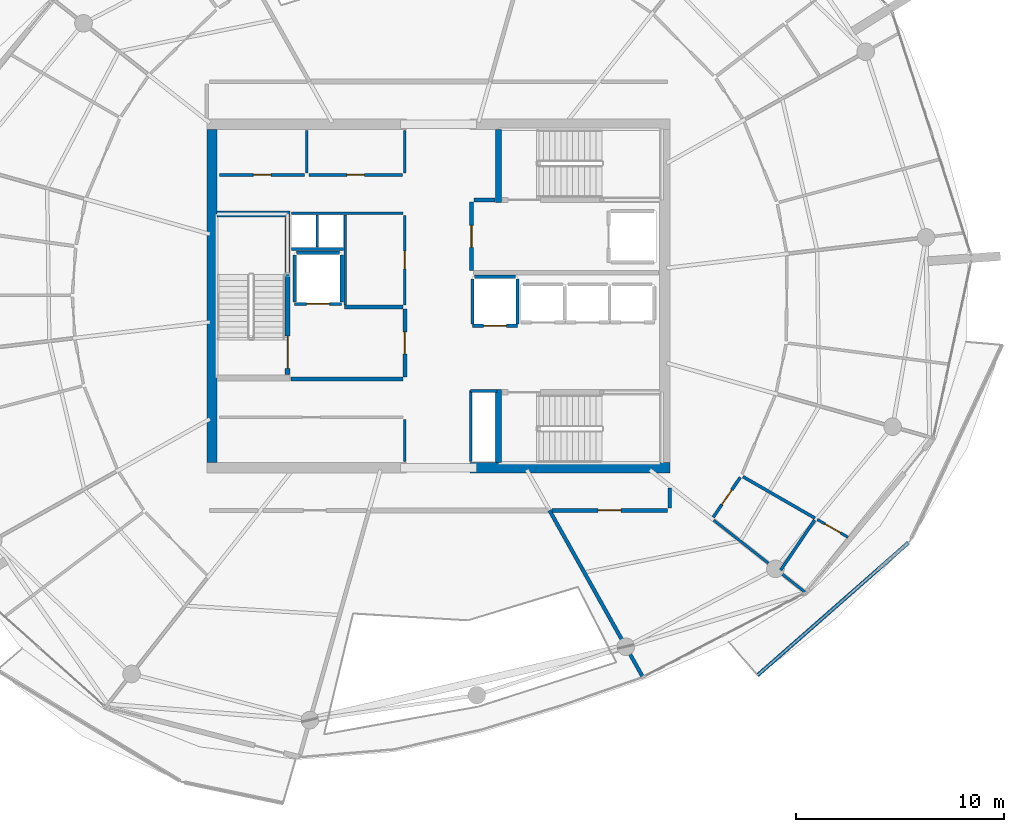
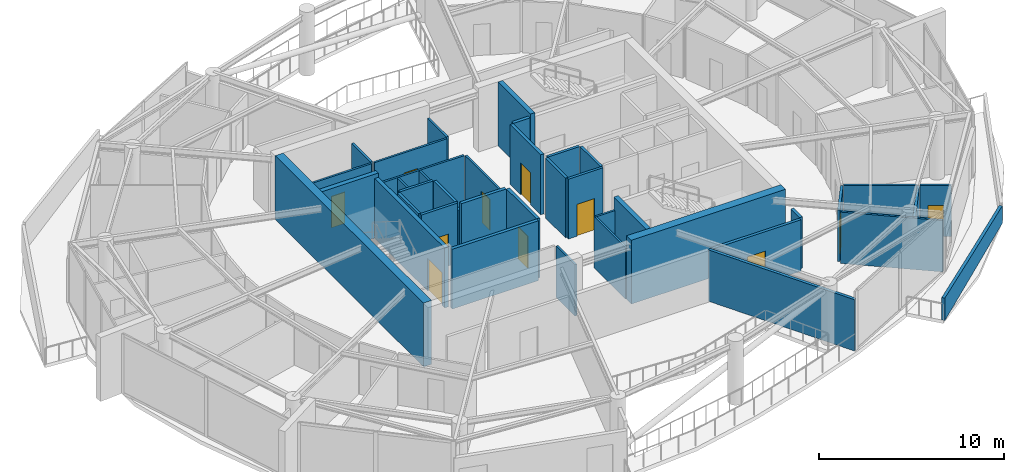
# One storey, part 14 of 22: 40 walls, 11 doors, 11 openings.
"""IFC4 building model written with IfcOpenShell, lengths in metres."""

from ifc_helpers import new_model, si_unit, direction, frame, frame_2d, origin, place, context, subcontext, project, spatial, polyline, rectangle, outline, extrude, material, layer, layer_set, type_object, element, fill, save


model = new_model("IFC4")

# Units and contexts
model_context = context("Model", 3, precision=1e-05, world=origin(), true_north=direction((0.0, 1.0)))
body_context = subcontext(model_context, "Body", "Model", "MODEL_VIEW")
ifc_project = project(units=[si_unit("LENGTHUNIT", "METRE"), si_unit("AREAUNIT", "SQUARE_METRE"), si_unit("VOLUMEUNIT", "CUBIC_METRE"), si_unit("PLANEANGLEUNIT", "RADIAN"), si_unit("MASSUNIT", "GRAM", prefix="KILO")], contexts=[model_context])

# Site, building, storey
site_placement = place(None, origin())
site = spatial("IfcSite", under=ifc_project, at=site_placement, CompositionType="ELEMENT")
building_placement = place(site_placement, origin())
building = spatial("IfcBuilding", under=site, at=building_placement, Name="Kazma Halo Residences", CompositionType="ELEMENT")
storey_placement = place(building_placement, frame((0.0, 0.0, 326.300048828125)))
storey = spatial("IfcBuildingStorey", under=building, at=storey_placement, Name="L82", CompositionType="ELEMENT", Elevation=326.300048828125)

# Walls
ifc_material_1 = material(Name="White Concrete C50/60 Balustrade", Category="concrete")
ifc_layer_1 = layer(ifc_material_1, 0.179931640625)
ifc_layer_set_1 = layer_set([ifc_layer_1], Name="White Concrete C50/60 Balustrade")
wall_type_1 = type_object("IfcWallType", Name="WL-BAL-WAVE-180", PredefinedType="PARAPET", material=ifc_layer_set_1)
wall_1_placement = place(storey_placement, frame((63.760986328125, 23.77294921875, 0.0), z_axis=(0.0, 0.0, 1.0), x_axis=(0.751214275419, 0.660058415905, 0.0)))
element("IfcWall", 1, at=wall_1_placement, inside=storey, type_object=wall_type_1, Name="L82 white wave balustrade wall SE.1", PredefinedType="PARAPET", context=body_context, shape_type="SweptSolid", body=[
    extrude(outline(polyline([(0.0, 0.0), (9.657958984375, 0.0), (9.65771484375, 1.14794921875), (4.828857421875, 1.283935546875), (0.0, 1.48291015625), (0.0, 0.0)])), frame((0.0, 0.08984375, 0.0), z_axis=(0.0, -1.0, 0.0), x_axis=(1.0, 0.0, 0.0)), (0.0, 0.0, 1.0), 0.179931640625),
])
ifc_material_2 = material(Name="Concrete C60/75", Category="concrete")
ifc_layer_2 = layer(ifc_material_2, 0.5)
ifc_layer_set_2 = layer_set([ifc_layer_2], Name="Concrete C60/75")
wall_type_2 = type_object("IfcWallType", Name="WL-CORE-500", PredefinedType="SHEAR", material=ifc_layer_set_2)
wall_2_placement = place(storey_placement, frame((49.949951171875, 33.75, 0.0), z_axis=(0.0, 0.0, 1.0), x_axis=(1.0, 0.0, 0.0)))
element("IfcWall", 2, at=wall_2_placement, inside=storey, type_object=wall_type_2, Name="L82 central core shear wall SE", PredefinedType="SHEAR", context=body_context, shape_type="SweptSolid", body=[
    extrude(rectangle(XDim=9.60009765625, YDim=0.5, at=frame_2d((4.800048828125, 0.0))), origin(), (0.0, 0.0, 1.0), 4.199951171875),
])
wall_3_placement = place(storey_placement, frame((37.550048828125, 34.0, 0.0), z_axis=(0.0, 0.0, 1.0), x_axis=(0.0, 1.0, 0.0)))
element("IfcWall", 3, at=wall_3_placement, inside=storey, type_object=wall_type_2, Name="L82 central core shear wall W", PredefinedType="SHEAR", context=body_context, shape_type="SweptSolid", body=[
    extrude(rectangle(XDim=16.0, YDim=0.5, at=frame_2d((8.0, 0.0))), origin(), (0.0, 0.0, 1.0), 4.199951171875),
])
ifc_layer_3 = layer(ifc_material_2, 0.280029296875)
ifc_layer_set_3 = layer_set([ifc_layer_3], Name="Concrete C60/75")
wall_type_3 = type_object("IfcWallType", Name="WL-CORE-ST-280", PredefinedType="SHEAR", material=ifc_layer_set_3)
for number, where, z_axis, x_axis, name in (
    (4, (37.800048828125, 45.93994140625, 0.0), (0.0, 0.0, 1.0), (1.0, 0.0, 0.0), "L82 stairwell bearing wall ST01-N"),
    (5, (51.31005859375, 46.5, 0.0), (0.0, 0.0, 1.0), (0.0, 1.0, 0.0), "L82 stairwell bearing wall ST02-W"),
    (6, (51.31005859375, 34.0, 0.0), (0.0, 0.0, 1.0), (0.0, 1.0, 0.0), "L82 stairwell bearing wall ST03-W"),
):
    element("IfcWall", number, at=place(storey_placement, frame(where, z_axis=z_axis, x_axis=x_axis)), inside=storey, type_object=wall_type_3, Name=name, PredefinedType="SHEAR", context=body_context, shape_type="SweptSolid", body=[
        extrude(rectangle(XDim=3.5, YDim=0.280029296875, at=frame_2d((1.75, 0.0))), origin(), (0.0, 0.0, 1.0), 4.199951171875),
    ])
ifc_material_3 = material(Name="Acoustic Twin-Stud Gypsum")
ifc_layer_4 = layer(ifc_material_3, 0.179931640625)
ifc_layer_set_4 = layer_set([ifc_layer_4], Name="Acoustic Twin-Stud Gypsum")
wall_type_4 = type_object("IfcWallType", Name="WL-DEM-180", PredefinedType="PARTITIONING", material=ifc_layer_set_4)
wall_4_placement = place(storey_placement, frame((53.768310546875, 31.699951171875, 0.0), z_axis=(0.0, 0.0, 1.0), x_axis=(0.488623665245, -0.872494649704, 0.0)))
element("IfcWall", 7, at=wall_4_placement, inside=storey, type_object=wall_type_4, Name="L82 apartment demising radial wall 12", PredefinedType="PARTITIONING", context=body_context, shape_type="SweptSolid", body=[
    extrude(rectangle(XDim=9.156982421875, YDim=0.179931640625, at=frame_2d((4.57861328125, 0.0))), origin(), (0.0, 0.0, 1.0), 3.3798828125),
])

# Wall, opening, door
wall_5_placement = place(storey_placement, frame((53.88818359375, 31.699951171875, 0.0), z_axis=(0.0, 0.0, 1.0), x_axis=(1.0, 0.0, 0.0)))
wall_5 = element("IfcWall", 8, at=wall_5_placement, inside=storey, type_object=wall_type_4, Name="L82 Penthouse 2 entrance corridor wall", PredefinedType="PARTITIONING", context=body_context, shape_type="SweptSolid", body=[
    extrude(rectangle(XDim=5.541748046875, YDim=0.179931640625, at=frame_2d((2.77099609375, 0.0))), origin(), (0.0, 0.0, 1.0), 3.3798828125),
])
opening_1_placement = place(wall_5_placement, frame((2.220703125, 0.0, 0.0)))
opening_1 = element("IfcOpeningElement", 9, at=opening_1_placement, cuts=wall_5, Name="Opening DA-1100", PredefinedType="OPENING", context=body_context, shape_type="SweptSolid", body=[
    extrude(rectangle(XDim=1.10009765625, YDim=2.10009765625, at=frame_2d((0.550048828125, 1.050048828125))), frame((0.0, 0.099853515625, 0.0), z_axis=(0.0, -1.0, 0.0), x_axis=(1.0, 0.0, 0.0)), (0.0, 0.0, 1.0), 0.199951171875),
])
ifc_material_4 = material(Name="Acoustic Walnut Fire Leaf")
door_type_1 = type_object("IfcDoorType", Name="DR-FD60-1100", OperationType="NOTDEFINED", PredefinedType="DOOR", material=ifc_material_4)
door_1_placement = place(opening_1_placement, origin())
door_1 = element("IfcDoor", 10, at=door_1_placement, inside=storey, type_object=door_type_1, Name="L82 Penthouse 2 entrance fire door", OperationType="SINGLE_SWING_LEFT", OverallHeight=2.10009765625, OverallWidth=1.10009765625, PredefinedType="DOOR", context=body_context, shape_type="SweptSolid", body=[
    extrude(rectangle(XDim=1.10009765625, YDim=2.10009765625, at=frame_2d((0.550048828125, 1.050048828125))), frame((0.0, 0.02490234375, 0.0), z_axis=(0.0, -1.0, 0.0), x_axis=(1.0, 0.0, 0.0)), (0.0, 0.0, 1.0), 0.050048828125),
])
fill(opening_1, door_1)

# Wall
wall_6_placement = place(storey_placement, frame((59.550048828125, 31.820068359375, 0.0), z_axis=(0.0, 0.0, 1.0), x_axis=(0.0, 1.0, 0.0)))
element("IfcWall", 11, at=wall_6_placement, inside=storey, type_object=wall_type_4, Name="L82 Penthouse 2 entrance corridor wall", PredefinedType="PARTITIONING", context=body_context, shape_type="SweptSolid", body=[
    extrude(rectangle(XDim=0.95458984375, YDim=0.179931640625, at=frame_2d((0.477294921875, 0.0))), origin(), (0.0, 0.0, 1.0), 3.3798828125),
])

# Wall, opening, door
ifc_material_5 = material(Name="Fire-Rated Blockwork Masonry", Category="masonry")
ifc_layer_5 = layer(ifc_material_5, 0.199951171875)
ifc_layer_set_5 = layer_set([ifc_layer_5], Name="Fire-Rated Blockwork Masonry")
wall_type_5 = type_object("IfcWallType", Name="WL-FLB-200", PredefinedType="PARTITIONING", material=ifc_layer_set_5)
wall_7_placement = place(storey_placement, frame((43.780029296875, 41.6201171875, 0.0), z_axis=(0.0, 0.0, 1.0), x_axis=(-1.0, 0.0, 0.0)))
wall_7 = element("IfcWall", 12, at=wall_7_placement, inside=storey, type_object=wall_type_5, Name="L82 lift shaft FL-01 front wall", PredefinedType="PARTITIONING", context=body_context, shape_type="SweptSolid", body=[
    extrude(rectangle(XDim=2.260009765625, YDim=0.159912109375, at=frame_2d((1.1298828125, 0.0))), origin(), (0.0, 0.0, 1.0), 3.93994140625),
])
opening_2_placement = place(wall_7_placement, frame((0.580078125, 0.0, 0.0)))
opening_2 = element("IfcOpeningElement", 13, at=opening_2_placement, cuts=wall_7, Name="Opening LD-FL-01", PredefinedType="OPENING", context=body_context, shape_type="SweptSolid", body=[
    extrude(rectangle(XDim=1.10009765625, YDim=2.10009765625, at=frame_2d((0.550048828125, 1.050048828125))), frame((0.0, 0.08984375, 0.0), z_axis=(0.0, -1.0, 0.0), x_axis=(1.0, 0.0, 0.0)), (0.0, 0.0, 1.0), 0.179931640625),
])
ifc_material_6 = material(Name="Stainless Steel Fire-Rated", Category="steel")
door_type_2 = type_object("IfcDoorType", Name="DR-LIFT-SLD-1100", OperationType="DOUBLE_DOOR_SLIDING", PredefinedType="DOOR", material=ifc_material_6)
door_2_placement = place(opening_2_placement, origin())
door_2 = element("IfcDoor", 14, at=door_2_placement, inside=storey, type_object=door_type_2, Name="L82 lift FL-01 sliding landing door", OperationType="DOUBLE_DOOR_SLIDING", OverallHeight=2.10009765625, OverallWidth=1.10009765625, PredefinedType="DOOR", context=body_context, shape_type="SweptSolid", body=[
    extrude(rectangle(XDim=1.10009765625, YDim=2.10009765625, at=frame_2d((0.550048828125, 1.050048828125))), frame((0.0, 0.02490234375, 0.0), z_axis=(0.0, -1.0, 0.0), x_axis=(1.0, 0.0, 0.0)), (0.0, 0.0, 1.0), 0.050048828125),
])
fill(opening_2, door_2)

# Walls
for number, where, z_axis, x_axis, name in (
    (15, (43.780029296875, 41.719970703125, 0.0), (0.0, 0.0, 1.0), (0.0, 1.0, 0.0), "L82 lift shaft FL-01 side wall E"),
    (16, (41.52001953125, 41.719970703125, 0.0), (0.0, 0.0, 1.0), (0.0, 1.0, 0.0), "L82 lift shaft FL-01 side wall W"),
):
    element("IfcWall", number, at=place(storey_placement, frame(where, z_axis=z_axis, x_axis=x_axis)), inside=storey, type_object=wall_type_5, Name=name, PredefinedType="PARTITIONING", context=body_context, shape_type="SweptSolid", body=[
        extrude(rectangle(XDim=2.260009765625, YDim=0.159912109375, at=frame_2d((1.1298828125, 0.0))), origin(), (0.0, 0.0, 1.0), 3.93994140625),
    ])
wall_8_placement = place(storey_placement, frame((41.6201171875, 44.080078125, 0.0), z_axis=(0.0, 0.0, 1.0), x_axis=(1.0, 0.0, 0.0)))
element("IfcWall", 17, at=wall_8_placement, inside=storey, type_object=wall_type_5, Name="L82 lift shaft FL-01 side wall N", PredefinedType="PARTITIONING", context=body_context, shape_type="SweptSolid", body=[
    extrude(rectangle(XDim=2.059814453125, YDim=0.159912109375, at=frame_2d((1.02978515625, 0.0))), origin(), (0.0, 0.0, 1.0), 3.93994140625),
])

# Wall, opening, door
wall_9_placement = place(storey_placement, frame((52.22998046875, 40.570068359375, 0.0), z_axis=(0.0, 0.0, 1.0), x_axis=(-1.0, 0.0, 0.0)))
wall_9 = element("IfcWall", 18, at=wall_9_placement, inside=storey, type_object=wall_type_5, Name="L82 lift shaft SV-01 front wall", PredefinedType="PARTITIONING", context=body_context, shape_type="SweptSolid", body=[
    extrude(rectangle(XDim=2.159912109375, YDim=0.159912109375, at=frame_2d((1.080078125, 0.0))), origin(), (0.0, 0.0, 1.0), 3.93994140625),
])
opening_3_placement = place(wall_9_placement, frame((0.530029296875, 0.0, 0.0)))
opening_3 = element("IfcOpeningElement", 19, at=opening_3_placement, cuts=wall_9, Name="Opening LD-SV-01", PredefinedType="OPENING", context=body_context, shape_type="SweptSolid", body=[
    extrude(rectangle(XDim=1.10009765625, YDim=2.10009765625, at=frame_2d((0.550048828125, 1.050048828125))), frame((0.0, 0.08984375, 0.0), z_axis=(0.0, -1.0, 0.0), x_axis=(1.0, 0.0, 0.0)), (0.0, 0.0, 1.0), 0.179931640625),
])
door_3_placement = place(opening_3_placement, origin())
door_3 = element("IfcDoor", 20, at=door_3_placement, inside=storey, type_object=door_type_2, Name="L82 lift SV-01 sliding landing door", OperationType="DOUBLE_DOOR_SLIDING", OverallHeight=2.10009765625, OverallWidth=1.10009765625, PredefinedType="DOOR", context=body_context, shape_type="SweptSolid", body=[
    extrude(rectangle(XDim=1.10009765625, YDim=2.10009765625, at=frame_2d((0.550048828125, 1.050048828125))), frame((0.0, 0.02490234375, 0.0), z_axis=(0.0, -1.0, 0.0), x_axis=(1.0, 0.0, 0.0)), (0.0, 0.0, 1.0), 0.050048828125),
])
fill(opening_3, door_3)

# Walls
for number, where, z_axis, x_axis, name in (
    (21, (52.22998046875, 40.669921875, 0.0), (0.0, 0.0, 1.0), (0.0, 1.0, 0.0), "L82 lift shaft SV-01 side wall E"),
    (22, (50.070068359375, 40.669921875, 0.0), (0.0, 0.0, 1.0), (0.0, 1.0, 0.0), "L82 lift shaft SV-01 side wall W"),
):
    element("IfcWall", number, at=place(storey_placement, frame(where, z_axis=z_axis, x_axis=x_axis)), inside=storey, type_object=wall_type_5, Name=name, PredefinedType="PARTITIONING", context=body_context, shape_type="SweptSolid", body=[
        extrude(rectangle(XDim=2.16015625, YDim=0.159912109375, at=frame_2d((1.080078125, 0.0))), origin(), (0.0, 0.0, 1.0), 3.93994140625),
    ])
wall_10_placement = place(storey_placement, frame((50.169921875, 42.929931640625, 0.0), z_axis=(0.0, 0.0, 1.0), x_axis=(1.0, 0.0, 0.0)))
element("IfcWall", 23, at=wall_10_placement, inside=storey, type_object=wall_type_5, Name="L82 lift shaft SV-01 side wall N", PredefinedType="PARTITIONING", context=body_context, shape_type="SweptSolid", body=[
    extrude(rectangle(XDim=1.9599609375, YDim=0.159912109375, at=frame_2d((0.97998046875, 0.0))), origin(), (0.0, 0.0, 1.0), 3.93994140625),
])
wall_11_placement = place(storey_placement, frame((41.35009765625, 38.02001953125, 0.0), z_axis=(0.0, 0.0, 1.0), x_axis=(1.0, 0.0, 0.0)))
element("IfcWall", 24, at=wall_11_placement, inside=storey, type_object=wall_type_5, Name="L82 west firefighting lobby south smoke wall", PredefinedType="PARTITIONING", context=body_context, shape_type="SweptSolid", body=[
    extrude(rectangle(XDim=5.369873046875, YDim=0.199951171875, at=frame_2d((2.68505859375, 0.0))), origin(), (0.0, 0.0, 1.0), 3.93994140625),
])
wall_12_placement = place(storey_placement, frame((43.919921875, 41.47998046875, 0.0), z_axis=(0.0, 0.0, 1.0), x_axis=(1.0, 0.0, 0.0)))
element("IfcWall", 25, at=wall_12_placement, inside=storey, type_object=wall_type_5, Name="L82 west firefighting lobby north smoke wall", PredefinedType="PARTITIONING", context=body_context, shape_type="SweptSolid", body=[
    extrude(rectangle(XDim=2.800048828125, YDim=0.199951171875, at=frame_2d((1.39990234375, 0.0))), origin(), (0.0, 0.0, 1.0), 3.93994140625),
])

# Wall, opening, door
wall_13_placement = place(storey_placement, frame((46.820068359375, 38.1201171875, 0.0), z_axis=(0.0, 0.0, 1.0), x_axis=(0.0, 1.0, 0.0)))
wall_13 = element("IfcWall", 26, at=wall_13_placement, inside=storey, type_object=wall_type_5, Name="L82 west firefighting lobby smoke wall", PredefinedType="PARTITIONING", context=body_context, shape_type="SweptSolid", body=[
    extrude(rectangle(XDim=3.259765625, YDim=0.199951171875, at=frame_2d((1.6298828125, 0.0))), origin(), (0.0, 0.0, 1.0), 3.93994140625),
])
opening_4_placement = place(wall_13_placement, frame((1.10498046875, 0.0, 0.0)))
opening_4 = element("IfcOpeningElement", 27, at=opening_4_placement, cuts=wall_13, Name="Opening D-FLW", PredefinedType="OPENING", context=body_context, shape_type="SweptSolid", body=[
    extrude(rectangle(XDim=1.050048828125, YDim=2.10009765625, at=frame_2d((0.52490234375, 1.050048828125))), frame((0.0, 0.10986328125, 0.0), z_axis=(0.0, -1.0, 0.0), x_axis=(1.0, 0.0, 0.0)), (0.0, 0.0, 1.0), 0.219970703125),
])
ifc_material_7 = material(Name="Fire-Rated Steel Leaf", Category="steel")
door_type_3 = type_object("IfcDoorType", Name="DR-FD90-1050", OperationType="NOTDEFINED", PredefinedType="DOOR", material=ifc_material_7)
door_4_placement = place(opening_4_placement, origin())
door_4 = element("IfcDoor", 28, at=door_4_placement, inside=storey, type_object=door_type_3, Name="L82 west firefighting lobby smoke door", OperationType="SINGLE_SWING_LEFT", OverallHeight=2.10009765625, OverallWidth=1.050048828125, PredefinedType="DOOR", context=body_context, shape_type="SweptSolid", body=[
    extrude(rectangle(XDim=1.050048828125, YDim=2.10009765625, at=frame_2d((0.52490234375, 1.050048828125))), frame((0.0, 0.02490234375, 0.0), z_axis=(0.0, -1.0, 0.0), x_axis=(1.0, 0.0, 0.0)), (0.0, 0.0, 1.0), 0.050048828125),
])
fill(opening_4, door_4)

# Wall
wall_14_placement = place(storey_placement, frame((50.139892578125, 46.6201171875, 0.0), z_axis=(0.0, 0.0, 1.0), x_axis=(1.0, 0.0, 0.0)))
element("IfcWall", 29, at=wall_14_placement, inside=storey, type_object=wall_type_5, Name="L82 east firefighting lobby north closure wall", PredefinedType="PARTITIONING", context=body_context, shape_type="SweptSolid", body=[
    extrude(rectangle(XDim=1.02001953125, YDim=0.199951171875, at=frame_2d((0.510009765625, 0.0))), origin(), (0.0, 0.0, 1.0), 3.93994140625),
])

# Wall, opening, door
wall_15_placement = place(storey_placement, frame((50.02001953125, 43.219970703125, 0.0), z_axis=(0.0, 0.0, 1.0), x_axis=(0.0, 1.0, 0.0)))
wall_15 = element("IfcWall", 30, at=wall_15_placement, inside=storey, type_object=wall_type_5, Name="L82 east firefighting lobby smoke wall", PredefinedType="PARTITIONING", context=body_context, shape_type="SweptSolid", body=[
    extrude(rectangle(XDim=3.300048828125, YDim=0.199951171875, at=frame_2d((1.64990234375, 0.0))), origin(), (0.0, 0.0, 1.0), 3.93994140625),
])
opening_5_placement = place(wall_15_placement, frame((1.125, 0.0, 0.0)))
opening_5 = element("IfcOpeningElement", 31, at=opening_5_placement, cuts=wall_15, Name="Opening D-FLE", PredefinedType="OPENING", context=body_context, shape_type="SweptSolid", body=[
    extrude(rectangle(XDim=1.050048828125, YDim=2.10009765625, at=frame_2d((0.52490234375, 1.050048828125))), frame((0.0, 0.10986328125, 0.0), z_axis=(0.0, -1.0, 0.0), x_axis=(1.0, 0.0, 0.0)), (0.0, 0.0, 1.0), 0.219970703125),
])
door_5_placement = place(opening_5_placement, origin())
door_5 = element("IfcDoor", 32, at=door_5_placement, inside=storey, type_object=door_type_3, Name="L82 east firefighting lobby smoke door", OperationType="SINGLE_SWING_RIGHT", OverallHeight=2.10009765625, OverallWidth=1.050048828125, PredefinedType="DOOR", context=body_context, shape_type="SweptSolid", body=[
    extrude(rectangle(XDim=1.050048828125, YDim=2.10009765625, at=frame_2d((0.52490234375, 1.050048828125))), frame((0.0, 0.02490234375, 0.0), z_axis=(0.0, -1.0, 0.0), x_axis=(1.0, 0.0, 0.0)), (0.0, 0.0, 1.0), 0.050048828125),
])
fill(opening_5, door_5)

# Walls
ifc_material_8 = material(Name="Gypsum Plasterboard Partition")
ifc_layer_6 = layer(ifc_material_8, 0.125)
ifc_layer_set_6 = layer_set([ifc_layer_6], Name="Gypsum Plasterboard Partition")
wall_type_6 = type_object("IfcWallType", Name="WL-PART-125", PredefinedType="PARTITIONING", material=ifc_layer_set_6)
for number, where, z_axis, x_axis, name in (
    (33, (46.820068359375, 34.050048828125, 0.0), (0.0, 0.0, 1.0), (0.0, 1.0, 0.0), "L82 reclaimed south east wall"),
    (34, (46.820068359375, 47.919921875, 0.0), (0.0, 0.0, 1.0), (0.0, 1.0, 0.0), "L82 reclaimed north east wall"),
    (35, (42.10009765625, 47.919921875, 0.0), (0.0, 0.0, 1.0), (0.0, 1.0, 0.0), "L82 reclaimed north divider wall"),
):
    element("IfcWall", number, at=place(storey_placement, frame(where, z_axis=z_axis, x_axis=x_axis)), inside=storey, type_object=wall_type_6, Name=name, PredefinedType="PARTITIONING", context=body_context, shape_type="SweptSolid", body=[
        extrude(rectangle(XDim=2.030029296875, YDim=0.125, at=frame_2d((1.01513671875, 0.0))), origin(), (0.0, 0.0, 1.0), 3.3798828125),
    ])

# Wall, opening, door
wall_16_placement = place(storey_placement, frame((37.919921875, 47.820068359375, 0.0), z_axis=(0.0, 0.0, 1.0), x_axis=(1.0, 0.0, 0.0)))
wall_16 = element("IfcWall", 36, at=wall_16_placement, inside=storey, type_object=wall_type_6, Name="L82 reclaimed north W front wall", PredefinedType="PARTITIONING", context=body_context, shape_type="SweptSolid", body=[
    extrude(rectangle(XDim=4.080078125, YDim=0.125, at=frame_2d((2.0400390625, 0.0))), origin(), (0.0, 0.0, 1.0), 3.3798828125),
])
opening_6_placement = place(wall_16_placement, frame((1.614990234375, 0.0, 0.0)))
opening_6 = element("IfcOpeningElement", 37, at=opening_6_placement, cuts=wall_16, Name="Opening DS-850", PredefinedType="OPENING", context=body_context, shape_type="SweptSolid", body=[
    extrude(rectangle(XDim=0.85009765625, YDim=2.06005859375, at=frame_2d((0.425048828125, 1.030029296875))), frame((0.0, 0.072509765625, 0.0), z_axis=(0.0, -1.0, 0.0), x_axis=(1.0, 0.0, 0.0)), (0.0, 0.0, 1.0), 0.14501953125),
])
ifc_material_9 = material(Name="Painted Steel Access Leaf", Category="steel")
door_type_4 = type_object("IfcDoorType", Name="DR-SVC-850", OperationType="NOTDEFINED", PredefinedType="DOOR", material=ifc_material_9)
door_6_placement = place(opening_6_placement, origin())
door_6 = element("IfcDoor", 38, at=door_6_placement, inside=storey, type_object=door_type_4, Name="L82 reclaimed north W door", OperationType="SINGLE_SWING_RIGHT", OverallHeight=2.06005859375, OverallWidth=0.85009765625, PredefinedType="DOOR", context=body_context, shape_type="SweptSolid", body=[
    extrude(rectangle(XDim=0.85009765625, YDim=2.06005859375, at=frame_2d((0.425048828125, 1.030029296875))), frame((0.0, 0.02490234375, 0.0), z_axis=(0.0, -1.0, 0.0), x_axis=(1.0, 0.0, 0.0)), (0.0, 0.0, 1.0), 0.050048828125),
])
fill(opening_6, door_6)

wall_17_placement = place(storey_placement, frame((42.199951171875, 47.820068359375, 0.0), z_axis=(0.0, 0.0, 1.0), x_axis=(1.0, 0.0, 0.0)))
wall_17 = element("IfcWall", 39, at=wall_17_placement, inside=storey, type_object=wall_type_6, Name="L82 reclaimed north E front wall", PredefinedType="PARTITIONING", context=body_context, shape_type="SweptSolid", body=[
    extrude(rectangle(XDim=4.5, YDim=0.125, at=frame_2d((2.25, 0.0))), origin(), (0.0, 0.0, 1.0), 3.3798828125),
])
opening_7_placement = place(wall_17_placement, frame((1.824951171875, 0.0, 0.0)))
opening_7 = element("IfcOpeningElement", 40, at=opening_7_placement, cuts=wall_17, Name="Opening DS-850", PredefinedType="OPENING", context=body_context, shape_type="SweptSolid", body=[
    extrude(rectangle(XDim=0.85009765625, YDim=2.06005859375, at=frame_2d((0.425048828125, 1.030029296875))), frame((0.0, 0.072509765625, 0.0), z_axis=(0.0, -1.0, 0.0), x_axis=(1.0, 0.0, 0.0)), (0.0, 0.0, 1.0), 0.14501953125),
])
door_7_placement = place(opening_7_placement, origin())
door_7 = element("IfcDoor", 41, at=door_7_placement, inside=storey, type_object=door_type_4, Name="L82 reclaimed north E door", OperationType="SINGLE_SWING_LEFT", OverallHeight=2.06005859375, OverallWidth=0.85009765625, PredefinedType="DOOR", context=body_context, shape_type="SweptSolid", body=[
    extrude(rectangle(XDim=0.85009765625, YDim=2.06005859375, at=frame_2d((0.425048828125, 1.030029296875))), frame((0.0, 0.02490234375, 0.0), z_axis=(0.0, -1.0, 0.0), x_axis=(1.0, 0.0, 0.0)), (0.0, 0.0, 1.0), 0.050048828125),
])
fill(opening_7, door_7)

# Walls
wall_18_placement = place(storey_placement, frame((41.360107421875, 45.97998046875, 0.0), z_axis=(0.0, 0.0, 1.0), x_axis=(1.0, 0.0, 0.0)))
element("IfcWall", 42, at=wall_18_placement, inside=storey, type_object=wall_type_6, Name="L82 core north riser wall", PredefinedType="PARTITIONING", context=body_context, shape_type="SweptSolid", body=[
    extrude(rectangle(XDim=5.35986328125, YDim=0.125, at=frame_2d((2.679931640625, 0.0))), origin(), (0.0, 0.0, 1.0), 3.3798828125),
])
wall_19_placement = place(storey_placement, frame((41.360107421875, 44.260009765625, 0.0), z_axis=(0.0, 0.0, 1.0), x_axis=(1.0, 0.0, 0.0)))
element("IfcWall", 43, at=wall_19_placement, inside=storey, type_object=wall_type_6, Name="L82 core riser south wall", PredefinedType="PARTITIONING", context=body_context, shape_type="SweptSolid", body=[
    extrude(rectangle(XDim=2.5, YDim=0.125, at=frame_2d((1.25, 0.0))), origin(), (0.0, 0.0, 1.0), 3.3798828125),
])
wall_20_placement = place(storey_placement, frame((42.60009765625, 44.35009765625, 0.0), z_axis=(0.0, 0.0, 1.0), x_axis=(0.0, 1.0, 0.0)))
element("IfcWall", 44, at=wall_20_placement, inside=storey, type_object=wall_type_6, Name="L82 core riser divider wall", PredefinedType="PARTITIONING", context=body_context, shape_type="SweptSolid", body=[
    extrude(rectangle(XDim=1.5498046875, YDim=0.125, at=frame_2d((0.77490234375, 0.0))), origin(), (0.0, 0.0, 1.0), 3.3798828125),
])
wall_21_placement = place(storey_placement, frame((49.97998046875, 34.06005859375, 0.0), z_axis=(0.0, 0.0, 1.0), x_axis=(0.0, 1.0, 0.0)))
element("IfcWall", 45, at=wall_21_placement, inside=storey, type_object=wall_type_6, Name="L82 standpipe riser wall", PredefinedType="PARTITIONING", context=body_context, shape_type="SweptSolid", body=[
    extrude(rectangle(XDim=3.39990234375, YDim=0.125, at=frame_2d((1.699951171875, 0.0))), origin(), (0.0, 0.0, 1.0), 3.3798828125),
])
wall_22_placement = place(storey_placement, frame((49.97998046875, 37.43994140625, 0.0), z_axis=(0.0, 0.0, 1.0), x_axis=(1.0, 0.0, 0.0)))
element("IfcWall", 46, at=wall_22_placement, inside=storey, type_object=wall_type_6, Name="L82 standpipe riser north wall", PredefinedType="PARTITIONING", context=body_context, shape_type="SweptSolid", body=[
    extrude(rectangle(XDim=1.260009765625, YDim=0.125, at=frame_2d((0.6298828125, 0.0))), origin(), (0.0, 0.0, 1.0), 3.3798828125),
])
wall_23_placement = place(storey_placement, frame((43.949951171875, 41.580078125, 0.0), z_axis=(0.0, 0.0, 1.0), x_axis=(0.0, 1.0, 0.0)))
element("IfcWall", 47, at=wall_23_placement, inside=storey, type_object=wall_type_6, Name="L82 core service west wall", PredefinedType="PARTITIONING", context=body_context, shape_type="SweptSolid", body=[
    extrude(rectangle(XDim=4.31982421875, YDim=0.125, at=frame_2d((2.159912109375, 0.0))), origin(), (0.0, 0.0, 1.0), 3.3798828125),
])

# Wall, opening, door
wall_24_placement = place(storey_placement, frame((46.820068359375, 41.580078125, 0.0), z_axis=(0.0, 0.0, 1.0), x_axis=(0.0, 1.0, 0.0)))
wall_24 = element("IfcWall", 48, at=wall_24_placement, inside=storey, type_object=wall_type_6, Name="L82 core service room east wall", PredefinedType="PARTITIONING", context=body_context, shape_type="SweptSolid", body=[
    extrude(rectangle(XDim=4.2998046875, YDim=0.125, at=frame_2d((2.14990234375, 0.0))), origin(), (0.0, 0.0, 1.0), 3.3798828125),
])
opening_8_placement = place(wall_24_placement, frame((1.72509765625, 0.0, 0.0)))
opening_8 = element("IfcOpeningElement", 49, at=opening_8_placement, cuts=wall_24, Name="Opening DS-850", PredefinedType="OPENING", context=body_context, shape_type="SweptSolid", body=[
    extrude(rectangle(XDim=0.85009765625, YDim=2.06005859375, at=frame_2d((0.425048828125, 1.030029296875))), frame((0.0, 0.072509765625, 0.0), z_axis=(0.0, -1.0, 0.0), x_axis=(1.0, 0.0, 0.0)), (0.0, 0.0, 1.0), 0.14501953125),
])
door_8_placement = place(opening_8_placement, origin())
door_8 = element("IfcDoor", 50, at=door_8_placement, inside=storey, type_object=door_type_4, Name="L82 core service room door", OperationType="SINGLE_SWING_LEFT", OverallHeight=2.06005859375, OverallWidth=0.85009765625, PredefinedType="DOOR", context=body_context, shape_type="SweptSolid", body=[
    extrude(rectangle(XDim=0.85009765625, YDim=2.06005859375, at=frame_2d((0.425048828125, 1.030029296875))), frame((0.0, 0.02490234375, 0.0), z_axis=(0.0, -1.0, 0.0), x_axis=(1.0, 0.0, 0.0)), (0.0, 0.0, 1.0), 0.050048828125),
])
fill(opening_8, door_8)

# Wall
wall_25_placement = place(storey_placement, frame((61.661376953125, 31.230224609375, 0.0), z_axis=(0.0, 0.0, 1.0), x_axis=(0.785321366699, -0.61908832246, 0.0)))
element("IfcWall", 51, at=wall_25_placement, inside=storey, type_object=wall_type_6, Name="L82 Penthouse 2 radial partition 13", PredefinedType="PARTITIONING", context=body_context, shape_type="SweptSolid", body=[
    extrude(rectangle(XDim=5.59716796875, YDim=0.125, at=frame_2d((2.798583984375, 0.0))), origin(), (0.0, 0.0, 1.0), 3.3798828125),
])

# Wall, opening, door
wall_26_placement = place(storey_placement, frame((66.6337890625, 31.2646484375, 0.0), z_axis=(0.0, 0.0, 1.0), x_axis=(0.866444624685, -0.499273184094, 0.0)))
wall_26 = element("IfcWall", 52, at=wall_26_placement, inside=storey, type_object=wall_type_6, Name="L82 Penthouse 2 Utility Laundry Room partition wall", PredefinedType="PARTITIONING", context=body_context, shape_type="SweptSolid", body=[
    extrude(rectangle(XDim=1.70947265625, YDim=0.125, at=frame_2d((0.854736328125, 0.0))), origin(), (0.0, 0.0, 1.0), 3.3798828125),
])
opening_9_placement = place(wall_26_placement, frame((0.4296875, 0.0, 0.0)))
opening_9 = element("IfcOpeningElement", 53, at=opening_9_placement, cuts=wall_26, Name="Opening DB-900", PredefinedType="OPENING", context=body_context, shape_type="SweptSolid", body=[
    extrude(rectangle(XDim=0.85009765625, YDim=2.06005859375, at=frame_2d((0.425048828125, 1.030029296875))), frame((0.0, 0.072509765625, 0.0), z_axis=(0.0, -1.0, 0.0), x_axis=(1.0, 0.0, 0.0)), (0.0, 0.0, 1.0), 0.14501953125),
])
ifc_material_10 = material(Name="Moisture-Sealed Timber Leaf", Category="wood")
door_type_5 = type_object("IfcDoorType", Name="DR-BTH-900", OperationType="NOTDEFINED", PredefinedType="DOOR", material=ifc_material_10)
door_9_placement = place(opening_9_placement, origin())
door_9 = element("IfcDoor", 54, at=door_9_placement, inside=storey, type_object=door_type_5, Name="L82 Penthouse 2 Utility Laundry Room door", OperationType="SINGLE_SWING_LEFT", OverallHeight=2.06005859375, OverallWidth=0.85009765625, PredefinedType="DOOR", context=body_context, shape_type="SweptSolid", body=[
    extrude(rectangle(XDim=0.85009765625, YDim=2.06005859375, at=frame_2d((0.425048828125, 1.030029296875))), frame((0.0, 0.02490234375, 0.0), z_axis=(0.0, -1.0, 0.0), x_axis=(1.0, 0.0, 0.0)), (0.0, 0.0, 1.0), 0.050048828125),
])
fill(opening_9, door_9)

ifc_material_11 = material(Name="Concrete C50/60", Category="concrete")
ifc_layer_7 = layer(ifc_material_11, 0.25)
ifc_layer_set_7 = layer_set([ifc_layer_7], Name="Concrete C50/60")
wall_type_7 = type_object("IfcWallType", Name="WL-SHF-250", PredefinedType="SOLIDWALL", material=ifc_layer_set_7)
wall_27_placement = place(storey_placement, frame((41.179931640625, 38.219970703125, 0.0), z_axis=(0.0, 0.0, 1.0), x_axis=(0.0, 1.0, 0.0)))
wall_27 = element("IfcWall", 55, at=wall_27_placement, inside=storey, type_object=wall_type_7, Name="L82 exit stair ST-01 enclosure wall", PredefinedType="SOLIDWALL", context=body_context, shape_type="SweptSolid", body=[
    extrude(rectangle(XDim=7.56005859375, YDim=0.25, at=frame_2d((3.780029296875, 0.0))), origin(), (0.0, 0.0, 1.0), 3.93994140625),
])
opening_10_placement = place(wall_27_placement, frame((0.300048828125, 0.0, 0.0)))
opening_10 = element("IfcOpeningElement", 56, at=opening_10_placement, cuts=wall_27, Name="Opening D-ST1", PredefinedType="OPENING", context=body_context, shape_type="SweptSolid", body=[
    extrude(rectangle(XDim=1.550048828125, YDim=2.14990234375, at=frame_2d((0.77490234375, 1.074951171875))), frame((0.0, 0.135009765625, 0.0), z_axis=(0.0, -1.0, 0.0), x_axis=(1.0, 0.0, 0.0)), (0.0, 0.0, 1.0), 0.27001953125),
])
ifc_material_12 = material(Name="Fire-Rated Double Steel Leaf", Category="steel")
door_type_6 = type_object("IfcDoorType", Name="DR-FD90-1550", OperationType="NOTDEFINED", PredefinedType="DOOR", material=ifc_material_12)
door_10_placement = place(opening_10_placement, origin())
door_10 = element("IfcDoor", 57, at=door_10_placement, inside=storey, type_object=door_type_6, Name="L82 exit stair ST-01 fire door", OperationType="DOUBLE_DOOR_SINGLE_SWING", OverallHeight=2.14990234375, OverallWidth=1.550048828125, PredefinedType="DOOR", context=body_context, shape_type="SweptSolid", body=[
    extrude(rectangle(XDim=1.550048828125, YDim=2.14990234375, at=frame_2d((0.77490234375, 1.074951171875))), frame((0.0, 0.02490234375, 0.0), z_axis=(0.0, -1.0, 0.0), x_axis=(1.0, 0.0, 0.0)), (0.0, 0.0, 1.0), 0.050048828125),
])
fill(opening_10, door_10)

ifc_material_13 = material(Name="Moisture-Resistant Gypsum")
ifc_layer_8 = layer(ifc_material_13, 0.14990234375)
ifc_layer_set_8 = layer_set([ifc_layer_8], Name="Moisture-Resistant Gypsum")
wall_type_8 = type_object("IfcWallType", Name="WL-WET-150", PredefinedType="PARTITIONING", material=ifc_layer_set_8)
wall_28_placement = place(storey_placement, frame((61.638916015625, 31.375, 0.0), z_axis=(0.0, 0.0, 1.0), x_axis=(0.56062651507, 0.828068783738, 0.0)))
wall_28 = element("IfcWall", 58, at=wall_28_placement, inside=storey, type_object=wall_type_8, Name="L82 Penthouse 2 Guest Bathroom hall wall", PredefinedType="PARTITIONING", context=body_context, shape_type="SweptSolid", body=[
    extrude(rectangle(XDim=2.314208984375, YDim=0.14990234375, at=frame_2d((1.1572265625, 0.0))), origin(), (0.0, 0.0, 1.0), 3.3798828125),
])
opening_11_placement = place(wall_28_placement, frame((0.73193359375, 0.0, 0.0)))
opening_11 = element("IfcOpeningElement", 59, at=opening_11_placement, cuts=wall_28, Name="Opening DB-900", PredefinedType="OPENING", context=body_context, shape_type="SweptSolid", body=[
    extrude(rectangle(XDim=0.85009765625, YDim=2.06005859375, at=frame_2d((0.425048828125, 1.030029296875))), frame((0.0, 0.0849609375, 0.0), z_axis=(0.0, -1.0, 0.0), x_axis=(1.0, 0.0, 0.0)), (0.0, 0.0, 1.0), 0.169921875),
])
door_11_placement = place(opening_11_placement, origin())
door_11 = element("IfcDoor", 60, at=door_11_placement, inside=storey, type_object=door_type_5, Name="L82 Penthouse 2 Guest Bathroom door", OperationType="SINGLE_SWING_RIGHT", OverallHeight=2.06005859375, OverallWidth=0.85009765625, PredefinedType="DOOR", context=body_context, shape_type="SweptSolid", body=[
    extrude(rectangle(XDim=0.85009765625, YDim=2.06005859375, at=frame_2d((0.425048828125, 1.030029296875))), frame((0.0, 0.02490234375, 0.0), z_axis=(0.0, -1.0, 0.0), x_axis=(1.0, 0.0, 0.0)), (0.0, 0.0, 1.0), 0.050048828125),
])
fill(opening_11, door_11)

# Walls
wall_29_placement = place(storey_placement, frame((64.873779296875, 28.824951171875, 0.0), z_axis=(0.0, 0.0, 1.0), x_axis=(0.560532780406, 0.82813223708, 0.0)))
element("IfcWall", 61, at=wall_29_placement, inside=storey, type_object=wall_type_8, Name="L82 Penthouse 2 Guest Bathroom back wall", PredefinedType="PARTITIONING", context=body_context, shape_type="SweptSolid", body=[
    extrude(rectangle(XDim=2.910400390625, YDim=0.14990234375, at=frame_2d((1.455078125, 0.0))), origin(), (0.0, 0.0, 1.0), 3.3798828125),
])
wall_30_placement = place(storey_placement, frame((63.064697265625, 33.32080078125, 0.0), z_axis=(0.0, 0.0, 1.0), x_axis=(0.866490095299, -0.499194265541, 0.0)))
element("IfcWall", 62, at=wall_30_placement, inside=storey, type_object=wall_type_8, Name="L82 Penthouse 2 Guest Bathroom side wall", PredefinedType="PARTITIONING", context=body_context, shape_type="SweptSolid", body=[
    extrude(rectangle(XDim=3.98876953125, YDim=0.14990234375, at=frame_2d((1.994384765625, 0.0))), origin(), (0.0, 0.0, 1.0), 3.3798828125),
])

save(model, "model.ifc")
